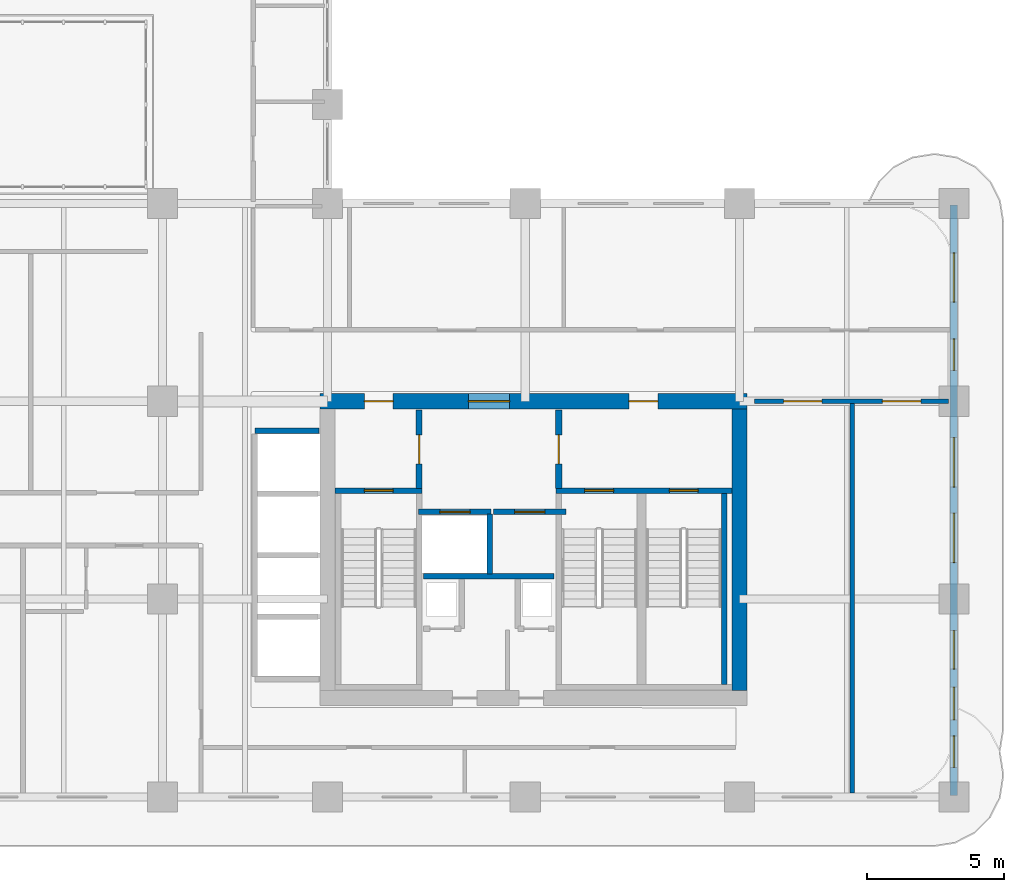
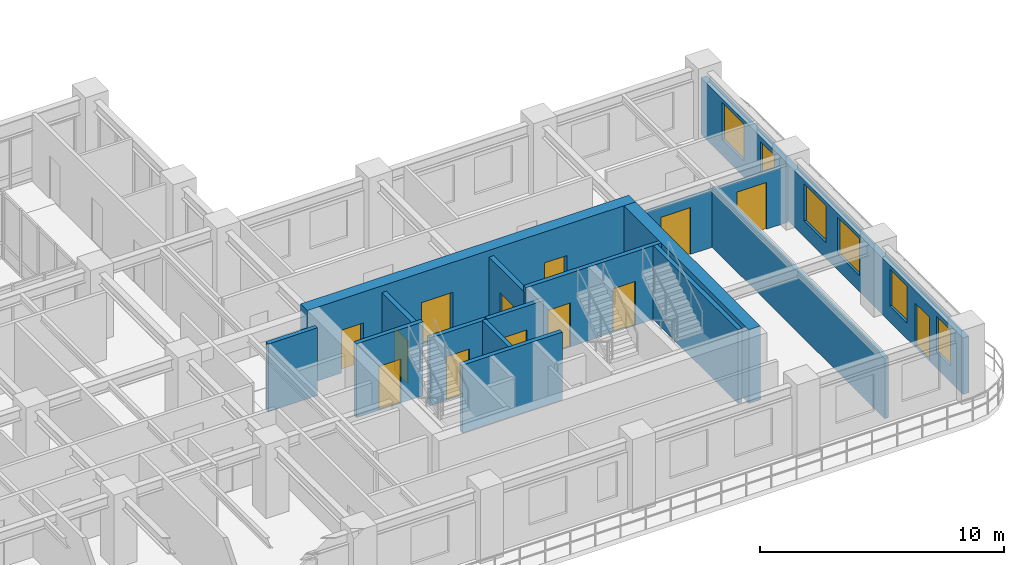
# One storey, part 11 of 19: 15 walls, 13 doors, 6 windows, 19 openings.
"""IFC4 building model written with IfcOpenShell, lengths in metres."""

from ifc_helpers import new_model, si_unit, derived_unit, direction, frame, frame_2d, origin, place, context, subcontext, project, spatial, rectangle, extrude, source, transform, mapped, material, layer, layer_set, type_object, type_shapes, element, fill, save


model = new_model("IFC4")

# Units and contexts
model_context = context("Model", 3, precision=1e-05, world=origin(), true_north=direction((0.0, 1.0)))
body_context = subcontext(model_context, "Body", "Model", "MODEL_VIEW")
ifc_project = project(units=[si_unit("LENGTHUNIT", "METRE"), si_unit("AREAUNIT", "SQUARE_METRE"), si_unit("VOLUMEUNIT", "CUBIC_METRE"), si_unit("PLANEANGLEUNIT", "RADIAN"), si_unit("MASSUNIT", "GRAM", prefix="KILO"), si_unit("THERMODYNAMICTEMPERATUREUNIT", "KELVIN"), si_unit("POWERUNIT", "WATT"), derived_unit("THERMALTRANSMITTANCEUNIT", [(si_unit("POWERUNIT", "WATT"), 1), (si_unit("AREAUNIT", "SQUARE_METRE"), -1), (si_unit("THERMODYNAMICTEMPERATUREUNIT", "KELVIN"), -1)])], contexts=[model_context])

# Site, building, storey
site_placement = place(None, origin())
site = spatial("IfcSite", under=ifc_project, at=site_placement, CompositionType="ELEMENT")
building_placement = place(site_placement, origin())
building = spatial("IfcBuilding", under=site, at=building_placement, Name="Zahravan Archway Hotel and Residences", CompositionType="ELEMENT")
storey_placement = place(building_placement, frame((0.0, 0.0, 102.699951171875)))
storey = spatial("IfcBuildingStorey", under=building, at=storey_placement, Name="L25", CompositionType="ELEMENT", Elevation=102.699951171875)

# Wall, openings, doors
ifc_material_1 = material(Name="Concrete C70/85", Category="concrete")
ifc_layer_1 = layer(ifc_material_1, 0.550048828125, Name="Concrete C70/85", Category="concrete")
ifc_layer_set_1 = layer_set([ifc_layer_1], Name="Concrete C70/85")
wall_type_1 = type_object("IfcWallType", Name="CW-CORE-550", PredefinedType="SHEAR", material=ifc_layer_set_1)
wall_1_placement = place(storey_placement, frame((34.52490234375, 14.39990234375, 0.0), z_axis=(0.0, 0.0, 1.0), x_axis=(1.0, 0.0, 0.0)))
wall_1 = element("IfcWall", 1, at=wall_1_placement, inside=storey, type_object=wall_type_1, Name="L25 Core A Shear N Wall 550 mm", PredefinedType="SHEAR", context=body_context, shape_type="SweptSolid", body=[
    extrude(rectangle(XDim=15.550048828125, YDim=0.550048828125, at=frame_2d((7.77490234375, 0.0))), origin(), (0.0, 0.0, 1.0), 3.699951171875),
])
opening_1_placement = place(wall_1_placement, frame((5.405029296875, 0.0, 0.0)))
opening_1 = element("IfcOpeningElement", 2, at=opening_1_placement, cuts=wall_1, Name="Opening FD-L1", PredefinedType="OPENING", context=body_context, shape_type="SweptSolid", body=[
    extrude(rectangle(XDim=1.5, YDim=2.199951171875, at=frame_2d((0.75, 1.10009765625))), frame((0.0, 0.28515625, 0.0), z_axis=(0.0, -1.0, 0.0), x_axis=(1.0, 0.0, 0.0)), (0.0, 0.0, 1.0), 0.570068359375),
])
opening_2_placement = place(wall_1_placement, frame((1.6201171875, 0.0, 0.0)))
opening_2 = element("IfcOpeningElement", 3, at=opening_2_placement, cuts=wall_1, Name="Opening FD-L2", PredefinedType="OPENING", context=body_context, shape_type="SweptSolid", body=[
    extrude(rectangle(XDim=1.050048828125, YDim=2.14990234375, at=frame_2d((0.52490234375, 1.074951171875))), frame((0.0, 0.28515625, 0.0), z_axis=(0.0, -1.0, 0.0), x_axis=(1.0, 0.0, 0.0)), (0.0, 0.0, 1.0), 0.570068359375),
])
opening_3_placement = place(wall_1_placement, frame((11.25, 0.0, 0.0)))
opening_3 = element("IfcOpeningElement", 4, at=opening_3_placement, cuts=wall_1, Name="Opening FD-L2", PredefinedType="OPENING", context=body_context, shape_type="SweptSolid", body=[
    extrude(rectangle(XDim=1.050048828125, YDim=2.14990234375, at=frame_2d((0.52490234375, 1.074951171875))), frame((0.0, 0.28515625, 0.0), z_axis=(0.0, -1.0, 0.0), x_axis=(1.0, 0.0, 0.0)), (0.0, 0.0, 1.0), 0.570068359375),
])
ifc_material_2 = material(Name="Fire-Rated Painted Steel", Category="steel")
door_type_1 = type_object("IfcDoorType", Name="FD-LOBBY-1100", OperationType="NOTDEFINED", PredefinedType="DOOR", material=ifc_material_2)
shared_shape_1 = source(origin(), body_context, "Body", "SweptSolid", [
    extrude(rectangle(XDim=1.050048828125, YDim=2.14990234375, at=frame_2d((0.52490234375, 1.074951171875))), frame((0.0, 0.02490234375, 0.0), z_axis=(0.0, -1.0, 0.0), x_axis=(1.0, 0.0, 0.0)), (0.0, 0.0, 1.0), 0.050048828125),
])
type_shapes(door_type_1, [shared_shape_1])
door_1_placement = place(opening_2_placement, origin())
door_1 = element("IfcDoor", 5, at=door_1_placement, inside=storey, type_object=door_type_1, Name="L25 Core A West Stair Lobby Door", OperationType="SINGLE_SWING_LEFT", OverallHeight=2.14990234375, OverallWidth=1.050048828125, PredefinedType="DOOR", context=body_context, shape_type="MappedRepresentation", body=[
    mapped(shared_shape_1, transform((0.0, 0.0, 0.0), scale=1.0)),
])
fill(opening_2, door_1)
door_2_placement = place(opening_3_placement, origin())
door_2 = element("IfcDoor", 6, at=door_2_placement, inside=storey, type_object=door_type_1, Name="L25 Core A East Stair Lobby Door", OperationType="SINGLE_SWING_RIGHT", OverallHeight=2.14990234375, OverallWidth=1.050048828125, PredefinedType="DOOR", context=body_context, shape_type="MappedRepresentation", body=[
    mapped(shared_shape_1, transform((0.0, 0.0, 0.0), scale=1.0)),
])
fill(opening_3, door_2)
door_type_2 = type_object("IfcDoorType", Name="FD-LOBBY-1500", OperationType="DOUBLE_DOOR_SINGLE_SWING", PredefinedType="DOOR", material=ifc_material_2)
shared_shape_2 = source(origin(), body_context, "Body", "SweptSolid", [
    extrude(rectangle(XDim=1.5, YDim=2.199951171875, at=frame_2d((0.75, 1.10009765625))), frame((0.0, 0.02490234375, 0.0), z_axis=(0.0, -1.0, 0.0), x_axis=(1.0, 0.0, 0.0)), (0.0, 0.0, 1.0), 0.050048828125),
])
type_shapes(door_type_2, [shared_shape_2])
door_3_placement = place(opening_1_placement, origin())
door_3 = element("IfcDoor", 7, at=door_3_placement, inside=storey, type_object=door_type_2, Name="L25 Core A FSAE Lobby Main Door", OperationType="DOUBLE_DOOR_SINGLE_SWING", OverallHeight=2.199951171875, OverallWidth=1.5, PredefinedType="DOOR", context=body_context, shape_type="MappedRepresentation", body=[
    mapped(shared_shape_2, transform((0.0, 0.0, 0.0), scale=1.0)),
])
fill(opening_1, door_3)

# Wall
wall_2_placement = place(storey_placement, frame((49.800048828125, 3.875, 0.0), z_axis=(0.0, 0.0, 1.0), x_axis=(0.0, 1.0, 0.0)))
element("IfcWall", 8, at=wall_2_placement, inside=storey, type_object=wall_type_1, Name="L25 Core A Shear E Wall 550 mm", PredefinedType="SHEAR", context=body_context, shape_type="SweptSolid", body=[
    extrude(rectangle(XDim=10.25, YDim=0.550048828125, at=frame_2d((5.125, 0.0))), origin(), (0.0, 0.0, 1.0), 3.699951171875),
])

# Wall, openings, door, windows
ifc_material_3 = material(Name="Honed Red-Ochre Sandstone & Insulated Block", Category="masonry")
ifc_layer_2 = layer(ifc_material_3, 0.280029296875, Name="Honed Red-Ochre Sandstone & Insulated Block", Category="masonry")
ifc_layer_set_2 = layer_set([ifc_layer_2], Name="Honed Red-Ochre Sandstone & Insulated Block")
wall_type_2 = type_object("IfcWallType", Name="EW-LOG-280", PredefinedType="SOLIDWALL", material=ifc_layer_set_2)
wall_3_placement = place(storey_placement, frame((57.60009765625, 0.050048828125, 0.0), z_axis=(0.0, 0.0, 1.0), x_axis=(0.0, 1.0, 0.0)))
wall_3 = element("IfcWall", 9, at=wall_3_placement, inside=storey, type_object=wall_type_2, Name="L25 Exterior Sandstone Wall WA-E", PredefinedType="SOLIDWALL", context=body_context, shape_type="SweptSolid", body=[
    extrude(rectangle(XDim=21.5, YDim=0.280029296875, at=frame_2d((10.75, 0.0))), origin(), (0.0, 0.0, 1.0), 2.8349609375),
])
opening_4_placement = place(wall_3_placement, frame((2.75, 0.0, 0.0)))
opening_4 = element("IfcOpeningElement", 10, at=opening_4_placement, cuts=wall_3, Name="Opening ED-BL1", PredefinedType="OPENING", context=body_context, shape_type="SweptSolid", body=[
    extrude(rectangle(XDim=1.199951171875, YDim=2.199951171875, at=frame_2d((0.60009765625, 1.10009765625))), frame((0.0, 0.14990234375, 0.0), z_axis=(0.0, -1.0, 0.0), x_axis=(1.0, 0.0, 0.0)), (0.0, 0.0, 1.0), 0.300048828125),
])
opening_5_placement = place(wall_3_placement, frame((1.02490234375, 0.0, 0.800048828125)))
opening_5 = element("IfcOpeningElement", 11, at=opening_5_placement, cuts=wall_3, Name="Opening W-05", PredefinedType="OPENING", context=body_context, shape_type="SweptSolid", body=[
    extrude(rectangle(XDim=1.14990234375, YDim=1.800048828125, at=frame_2d((0.574951171875, 0.89990234375))), frame((0.0, 0.14990234375, 0.0), z_axis=(0.0, -1.0, 0.0), x_axis=(1.0, 0.0, 0.0)), (0.0, 0.0, 1.0), 0.300048828125),
])
opening_6_placement = place(wall_3_placement, frame((4.60009765625, 0.0, 0.800048828125)))
opening_6 = element("IfcOpeningElement", 12, at=opening_6_placement, cuts=wall_3, Name="Opening W-03", PredefinedType="OPENING", context=body_context, shape_type="SweptSolid", body=[
    extrude(rectangle(XDim=1.39990234375, YDim=1.85009765625, at=frame_2d((0.699951171875, 0.925048828125))), frame((0.0, 0.14990234375, 0.0), z_axis=(0.0, -1.0, 0.0), x_axis=(1.0, 0.0, 0.0)), (0.0, 0.0, 1.0), 0.300048828125),
])
opening_7_placement = place(wall_3_placement, frame((8.47509765625, 0.0, 0.800048828125)))
opening_7 = element("IfcOpeningElement", 13, at=opening_7_placement, cuts=wall_3, Name="Opening W-02", PredefinedType="OPENING", context=body_context, shape_type="SweptSolid", body=[
    extrude(rectangle(XDim=1.800048828125, YDim=1.85009765625, at=frame_2d((0.89990234375, 0.925048828125))), frame((0.0, 0.14990234375, 0.0), z_axis=(0.0, -1.0, 0.0), x_axis=(1.0, 0.0, 0.0)), (0.0, 0.0, 1.0), 0.300048828125),
])
opening_8_placement = place(wall_3_placement, frame((11.22509765625, 0.0, 0.800048828125)))
opening_8 = element("IfcOpeningElement", 14, at=opening_8_placement, cuts=wall_3, Name="Opening W-02", PredefinedType="OPENING", context=body_context, shape_type="SweptSolid", body=[
    extrude(rectangle(XDim=1.800048828125, YDim=1.85009765625, at=frame_2d((0.89990234375, 0.925048828125))), frame((0.0, 0.14990234375, 0.0), z_axis=(0.0, -1.0, 0.0), x_axis=(1.0, 0.0, 0.0)), (0.0, 0.0, 1.0), 0.300048828125),
])
opening_9_placement = place(wall_3_placement, frame((15.470947265625, 0.0, 0.800048828125)))
opening_9 = element("IfcOpeningElement", 15, at=opening_9_placement, cuts=wall_3, Name="Opening W-05", PredefinedType="OPENING", context=body_context, shape_type="SweptSolid", body=[
    extrude(rectangle(XDim=1.14990234375, YDim=1.800048828125, at=frame_2d((0.574951171875, 0.89990234375))), frame((0.0, 0.14990234375, 0.0), z_axis=(0.0, -1.0, 0.0), x_axis=(1.0, 0.0, 0.0)), (0.0, 0.0, 1.0), 0.300048828125),
])
opening_10_placement = place(wall_3_placement, frame((17.9541015625, 0.0, 0.800048828125)))
opening_10 = element("IfcOpeningElement", 16, at=opening_10_placement, cuts=wall_3, Name="Opening W-02", PredefinedType="OPENING", context=body_context, shape_type="SweptSolid", body=[
    extrude(rectangle(XDim=1.800048828125, YDim=1.85009765625, at=frame_2d((0.89990234375, 0.925048828125))), frame((0.0, 0.14990234375, 0.0), z_axis=(0.0, -1.0, 0.0), x_axis=(1.0, 0.0, 0.0)), (0.0, 0.0, 1.0), 0.300048828125),
])
ifc_material_4 = material(Name="Bronze-Anodized Glazed Aluminium", Category="aluminium")
door_type_3 = type_object("IfcDoorType", Name="ED-BALC-1200", OperationType="SLIDING_TO_LEFT", PredefinedType="DOOR", material=ifc_material_4)
shared_shape_3 = source(origin(), body_context, "Body", "SweptSolid", [
    extrude(rectangle(XDim=1.199951171875, YDim=2.199951171875, at=frame_2d((0.60009765625, 1.10009765625))), frame((0.0, 0.02490234375, 0.0), z_axis=(0.0, -1.0, 0.0), x_axis=(1.0, 0.0, 0.0)), (0.0, 0.0, 1.0), 0.050048828125),
])
type_shapes(door_type_3, [shared_shape_3])
door_4_placement = place(opening_4_placement, origin())
door_4 = element("IfcDoor", 17, at=door_4_placement, inside=storey, type_object=door_type_3, Name="L25 Outdoor Access Sliding Door (SLB-BAL-L25-EA)", OperationType="SLIDING_TO_LEFT", OverallHeight=2.199951171875, OverallWidth=1.199951171875, PredefinedType="DOOR", context=body_context, shape_type="MappedRepresentation", body=[
    mapped(shared_shape_3, transform((0.0, 0.0, 0.0), scale=1.0)),
])
fill(opening_4, door_4)
ifc_material_5 = material(Name="Bronze-Anodized Thermal-Break Aluminium & Low-E Glass", Category="aluminium")
window_type_1 = type_object("IfcWindowType", Name="WIN-TWR-1400", PartitioningType="SINGLE_PANEL", PredefinedType="WINDOW", material=ifc_material_5)
shared_shape_4 = source(origin(), body_context, "Body", "SweptSolid", [
    extrude(rectangle(XDim=1.39990234375, YDim=1.85009765625, at=frame_2d((0.699951171875, 0.925048828125))), frame((0.0, 0.030029296875, 0.0), z_axis=(0.0, -1.0, 0.0), x_axis=(1.0, 0.0, 0.0)), (0.0, 0.0, 1.0), 0.06005859375),
])
type_shapes(window_type_1, [shared_shape_4])
window_1_placement = place(opening_6_placement, origin())
window_1 = element("IfcWindow", 18, at=window_1_placement, inside=storey, type_object=window_type_1, Name="L25 Loggia Window 13", OverallHeight=1.85009765625, OverallWidth=1.39990234375, PartitioningType="SINGLE_PANEL", PredefinedType="WINDOW", context=body_context, shape_type="MappedRepresentation", body=[
    mapped(shared_shape_4, transform((0.0, 0.0, 0.0), scale=1.0)),
])
fill(opening_6, window_1)
window_type_2 = type_object("IfcWindowType", Name="WIN-TWR-1800", PartitioningType="DOUBLE_PANEL_VERTICAL", PredefinedType="WINDOW", material=ifc_material_5)
shared_shape_5 = source(origin(), body_context, "Body", "SweptSolid", [
    extrude(rectangle(XDim=1.800048828125, YDim=1.85009765625, at=frame_2d((0.89990234375, 0.925048828125))), frame((0.0, 0.030029296875, 0.0), z_axis=(0.0, -1.0, 0.0), x_axis=(1.0, 0.0, 0.0)), (0.0, 0.0, 1.0), 0.06005859375),
])
type_shapes(window_type_2, [shared_shape_5])
window_2_placement = place(opening_7_placement, origin())
window_2 = element("IfcWindow", 19, at=window_2_placement, inside=storey, type_object=window_type_2, Name="L25 Loggia Window 14", OverallHeight=1.85009765625, OverallWidth=1.800048828125, PartitioningType="DOUBLE_PANEL_VERTICAL", PredefinedType="WINDOW", context=body_context, shape_type="MappedRepresentation", body=[
    mapped(shared_shape_5, transform((0.0, 0.0, 0.0), scale=1.0)),
])
fill(opening_7, window_2)
window_3_placement = place(opening_8_placement, origin())
window_3 = element("IfcWindow", 20, at=window_3_placement, inside=storey, type_object=window_type_2, Name="L25 Loggia Window 15", OverallHeight=1.85009765625, OverallWidth=1.800048828125, PartitioningType="DOUBLE_PANEL_VERTICAL", PredefinedType="WINDOW", context=body_context, shape_type="MappedRepresentation", body=[
    mapped(shared_shape_5, transform((0.0, 0.0, 0.0), scale=1.0)),
])
fill(opening_8, window_3)
window_4_placement = place(opening_10_placement, origin())
window_4 = element("IfcWindow", 21, at=window_4_placement, inside=storey, type_object=window_type_2, Name="L25 Loggia Window 17", OverallHeight=1.85009765625, OverallWidth=1.800048828125, PartitioningType="DOUBLE_PANEL_VERTICAL", PredefinedType="WINDOW", context=body_context, shape_type="MappedRepresentation", body=[
    mapped(shared_shape_5, transform((0.0, 0.0, 0.0), scale=1.0)),
])
fill(opening_10, window_4)
window_type_3 = type_object("IfcWindowType", Name="WIN-TWR-1150", PartitioningType="SINGLE_PANEL", PredefinedType="WINDOW", material=ifc_material_5)
shared_shape_6 = source(origin(), body_context, "Body", "SweptSolid", [
    extrude(rectangle(XDim=1.14990234375, YDim=1.800048828125, at=frame_2d((0.574951171875, 0.89990234375))), frame((0.0, 0.030029296875, 0.0), z_axis=(0.0, -1.0, 0.0), x_axis=(1.0, 0.0, 0.0)), (0.0, 0.0, 1.0), 0.06005859375),
])
type_shapes(window_type_3, [shared_shape_6])
window_5_placement = place(opening_5_placement, origin())
window_5 = element("IfcWindow", 22, at=window_5_placement, inside=storey, type_object=window_type_3, Name="L25 Loggia Window 12", OverallHeight=1.800048828125, OverallWidth=1.14990234375, PartitioningType="SINGLE_PANEL", PredefinedType="WINDOW", context=body_context, shape_type="MappedRepresentation", body=[
    mapped(shared_shape_6, transform((0.0, 0.0, 0.0), scale=1.0)),
])
fill(opening_5, window_5)
window_6_placement = place(opening_9_placement, origin())
window_6 = element("IfcWindow", 23, at=window_6_placement, inside=storey, type_object=window_type_3, Name="L25 Loggia Window 16", OverallHeight=1.800048828125, OverallWidth=1.14990234375, PartitioningType="SINGLE_PANEL", PredefinedType="WINDOW", context=body_context, shape_type="MappedRepresentation", body=[
    mapped(shared_shape_6, transform((0.0, 0.0, 0.0), scale=1.0)),
])
fill(opening_9, window_6)

# Wall, opening, door
ifc_material_6 = material(Name="Fire-Rated Gypsum & Concrete Block", Category="concrete")
ifc_layer_3 = layer(ifc_material_6, 0.219970703125, Name="Fire-Rated Gypsum & Concrete Block", Category="concrete")
ifc_layer_set_3 = layer_set([ifc_layer_3], Name="Fire-Rated Gypsum & Concrete Block")
wall_type_3 = type_object("IfcWallType", Name="PW-COMP-220", PredefinedType="PARTITIONING", material=ifc_layer_set_3)
wall_4_placement = place(storey_placement, frame((38.139892578125, 11.219970703125, 0.0), z_axis=(0.0, 0.0, 1.0), x_axis=(0.0, 1.0, 0.0)))
wall_4 = element("IfcWall", 24, at=wall_4_placement, inside=storey, type_object=wall_type_3, Name="L25 Partition CA-LOBW", PredefinedType="PARTITIONING", context=body_context, shape_type="SweptSolid", body=[
    extrude(rectangle(XDim=2.860107421875, YDim=0.219970703125, at=frame_2d((1.43017578125, 0.0))), origin(), (0.0, 0.0, 1.0), 3.400146484375),
])
opening_11_placement = place(wall_4_placement, frame((0.905029296875, 0.0, 0.0)))
opening_11 = element("IfcOpeningElement", 25, at=opening_11_placement, cuts=wall_4, Name="Opening FD-L2", PredefinedType="OPENING", context=body_context, shape_type="SweptSolid", body=[
    extrude(rectangle(XDim=1.050048828125, YDim=2.14990234375, at=frame_2d((0.52490234375, 1.074951171875))), frame((0.0, 0.1201171875, 0.0), z_axis=(0.0, -1.0, 0.0), x_axis=(1.0, 0.0, 0.0)), (0.0, 0.0, 1.0), 0.239990234375),
])
door_5_placement = place(opening_11_placement, origin())
door_5 = element("IfcDoor", 26, at=door_5_placement, inside=storey, type_object=door_type_1, Name="L25 Core A West Stair to FSAE Lobby Door", OperationType="SINGLE_SWING_LEFT", OverallHeight=2.14990234375, OverallWidth=1.050048828125, PredefinedType="DOOR", context=body_context, shape_type="MappedRepresentation", body=[
    mapped(shared_shape_1, transform((0.0, 0.0, 0.0), scale=1.0)),
])
fill(opening_11, door_5)

wall_5_placement = place(storey_placement, frame((43.219970703125, 11.219970703125, 0.0), z_axis=(0.0, 0.0, 1.0), x_axis=(0.0, 1.0, 0.0)))
wall_5 = element("IfcWall", 27, at=wall_5_placement, inside=storey, type_object=wall_type_3, Name="L25 Partition CA-LOBE", PredefinedType="PARTITIONING", context=body_context, shape_type="SweptSolid", body=[
    extrude(rectangle(XDim=2.860107421875, YDim=0.219970703125, at=frame_2d((1.43017578125, 0.0))), origin(), (0.0, 0.0, 1.0), 3.400146484375),
])
opening_12_placement = place(wall_5_placement, frame((0.905029296875, 0.0, 0.0)))
opening_12 = element("IfcOpeningElement", 28, at=opening_12_placement, cuts=wall_5, Name="Opening FD-L2", PredefinedType="OPENING", context=body_context, shape_type="SweptSolid", body=[
    extrude(rectangle(XDim=1.050048828125, YDim=2.14990234375, at=frame_2d((0.52490234375, 1.074951171875))), frame((0.0, 0.1201171875, 0.0), z_axis=(0.0, -1.0, 0.0), x_axis=(1.0, 0.0, 0.0)), (0.0, 0.0, 1.0), 0.239990234375),
])
door_6_placement = place(opening_12_placement, origin())
door_6 = element("IfcDoor", 29, at=door_6_placement, inside=storey, type_object=door_type_1, Name="L25 Core A East Stair to FSAE Lobby Door", OperationType="SINGLE_SWING_RIGHT", OverallHeight=2.14990234375, OverallWidth=1.050048828125, PredefinedType="DOOR", context=body_context, shape_type="MappedRepresentation", body=[
    mapped(shared_shape_1, transform((0.0, 0.0, 0.0), scale=1.0)),
])
fill(opening_12, door_6)

# Walls
ifc_layer_4 = layer(ifc_material_6, 0.199951171875, Name="Fire-Rated Gypsum & Concrete Block", Category="concrete")
ifc_layer_set_4 = layer_set([ifc_layer_4], Name="Fire-Rated Gypsum & Concrete Block")
wall_type_4 = type_object("IfcWallType", Name="PW-SHAFT-200", PredefinedType="PARTITIONING", material=ifc_layer_set_4)
wall_6_placement = place(storey_placement, frame((38.300048828125, 8.030029296875, 0.0), z_axis=(0.0, 0.0, 1.0), x_axis=(1.0, 0.0, 0.0)))
element("IfcWall", 30, at=wall_6_placement, inside=storey, type_object=wall_type_4, Name="L25 Partition CA-FLS", PredefinedType="PARTITIONING", context=body_context, shape_type="SweptSolid", body=[
    extrude(rectangle(XDim=4.739990234375, YDim=0.199951171875, at=frame_2d((2.3701171875, 0.0))), origin(), (0.0, 0.0, 1.0), 3.400146484375),
])
wall_7_placement = place(storey_placement, frame((40.699951171875, 8.1201171875, 0.0), z_axis=(0.0, 0.0, 1.0), x_axis=(0.0, 1.0, 0.0)))
element("IfcWall", 31, at=wall_7_placement, inside=storey, type_object=wall_type_4, Name="L25 Partition CA-FLM", PredefinedType="PARTITIONING", context=body_context, shape_type="SweptSolid", body=[
    extrude(rectangle(XDim=2.179931640625, YDim=0.199951171875, at=frame_2d((1.08984375, 0.0))), origin(), (0.0, 0.0, 1.0), 3.400146484375),
])
wall_8_placement = place(storey_placement, frame((32.159912109375, 13.320068359375, 0.0), z_axis=(0.0, 0.0, 1.0), x_axis=(1.0, 0.0, 0.0)))
element("IfcWall", 32, at=wall_8_placement, inside=storey, type_object=wall_type_4, Name="L25 Partition B3-N", PredefinedType="PARTITIONING", context=body_context, shape_type="SweptSolid", body=[
    extrude(rectangle(XDim=2.335205078125, YDim=0.199951171875, at=frame_2d((1.16748046875, 0.0))), origin(), (0.0, 0.0, 1.0), 3.400146484375),
])

# Wall, opening, door
wall_9_placement = place(storey_placement, frame((38.1201171875, 10.3701171875, 0.0), z_axis=(0.0, 0.0, 1.0), x_axis=(1.0, 0.0, 0.0)))
wall_9 = element("IfcWall", 33, at=wall_9_placement, inside=storey, type_object=wall_type_4, Name="L25 Lift FL-1 Front Wall", PredefinedType="PARTITIONING", context=body_context, shape_type="SweptSolid", body=[
    extrude(rectangle(XDim=2.639892578125, YDim=0.199951171875, at=frame_2d((1.31982421875, 0.0))), origin(), (0.0, 0.0, 1.0), 3.400146484375),
])
opening_13_placement = place(wall_9_placement, frame((0.77001953125, 0.0, 0.0)))
opening_13 = element("IfcOpeningElement", 34, at=opening_13_placement, cuts=wall_9, Name="Opening LD", PredefinedType="OPENING", context=body_context, shape_type="SweptSolid", body=[
    extrude(rectangle(XDim=1.10009765625, YDim=2.199951171875, at=frame_2d((0.550048828125, 1.10009765625))), frame((0.0, 0.10986328125, 0.0), z_axis=(0.0, -1.0, 0.0), x_axis=(1.0, 0.0, 0.0)), (0.0, 0.0, 1.0), 0.219970703125),
])
ifc_material_7 = material(Name="Brushed Stainless Steel", Category="steel")
door_type_4 = type_object("IfcDoorType", Name="DR-LIFT-LD", OperationType="SLIDING_TO_LEFT", PredefinedType="DOOR", material=ifc_material_7)
shared_shape_7 = source(origin(), body_context, "Body", "SweptSolid", [
    extrude(rectangle(XDim=1.10009765625, YDim=2.199951171875, at=frame_2d((0.550048828125, 1.10009765625))), frame((0.0, 0.02490234375, 0.0), z_axis=(0.0, -1.0, 0.0), x_axis=(1.0, 0.0, 0.0)), (0.0, 0.0, 1.0), 0.050048828125),
])
type_shapes(door_type_4, [shared_shape_7])
door_7_placement = place(opening_13_placement, origin())
door_7 = element("IfcDoor", 35, at=door_7_placement, inside=storey, type_object=door_type_4, Name="L25 Lift FL-1 Sliding Landing Door", OperationType="SLIDING_TO_LEFT", OverallHeight=2.199951171875, OverallWidth=1.10009765625, PredefinedType="DOOR", context=body_context, shape_type="MappedRepresentation", body=[
    mapped(shared_shape_7, transform((0.0, 0.0, 0.0), scale=1.0)),
])
fill(opening_13, door_7)

wall_10_placement = place(storey_placement, frame((40.840087890625, 10.3701171875, 0.0), z_axis=(0.0, 0.0, 1.0), x_axis=(1.0, 0.0, 0.0)))
wall_10 = element("IfcWall", 36, at=wall_10_placement, inside=storey, type_object=wall_type_4, Name="L25 Lift FL-2 Front Wall", PredefinedType="PARTITIONING", context=body_context, shape_type="SweptSolid", body=[
    extrude(rectangle(XDim=2.639892578125, YDim=0.199951171875, at=frame_2d((1.31982421875, 0.0))), origin(), (0.0, 0.0, 1.0), 3.400146484375),
])
opening_14_placement = place(wall_10_placement, frame((0.77001953125, 0.0, 0.0)))
opening_14 = element("IfcOpeningElement", 37, at=opening_14_placement, cuts=wall_10, Name="Opening LD", PredefinedType="OPENING", context=body_context, shape_type="SweptSolid", body=[
    extrude(rectangle(XDim=1.10009765625, YDim=2.199951171875, at=frame_2d((0.550048828125, 1.10009765625))), frame((0.0, 0.10986328125, 0.0), z_axis=(0.0, -1.0, 0.0), x_axis=(1.0, 0.0, 0.0)), (0.0, 0.0, 1.0), 0.219970703125),
])
door_8_placement = place(opening_14_placement, origin())
door_8 = element("IfcDoor", 38, at=door_8_placement, inside=storey, type_object=door_type_4, Name="L25 Lift FL-2 Sliding Landing Door", OperationType="SLIDING_TO_LEFT", OverallHeight=2.199951171875, OverallWidth=1.10009765625, PredefinedType="DOOR", context=body_context, shape_type="MappedRepresentation", body=[
    mapped(shared_shape_7, transform((0.0, 0.0, 0.0), scale=1.0)),
])
fill(opening_14, door_8)

# Wall, openings, doors
ifc_material_8 = material(Name="Acoustic Stud Partition")
ifc_layer_5 = layer(ifc_material_8, 0.169921875, Name="Acoustic Stud Partition")
ifc_layer_set_5 = layer_set([ifc_layer_5], Name="Acoustic Stud Partition")
wall_type_5 = type_object("IfcWallType", Name="PW-UNIT-170", PredefinedType="PARTITIONING", material=ifc_layer_set_5)
wall_11_placement = place(storey_placement, frame((50.340087890625, 14.39990234375, 0.0), z_axis=(0.0, 0.0, 1.0), x_axis=(1.0, 0.0, 0.0)))
wall_11 = element("IfcWall", 39, at=wall_11_placement, inside=storey, type_object=wall_type_5, Name="L25 Partition EA-PS", PredefinedType="PARTITIONING", context=body_context, shape_type="SweptSolid", body=[
    extrude(rectangle(XDim=7.06982421875, YDim=0.169921875, at=frame_2d((3.534912109375, 0.0))), origin(), (0.0, 0.0, 1.0), 2.8349609375),
])
opening_15_placement = place(wall_11_placement, frame((1.06005859375, 0.0, 0.0)))
opening_15 = element("IfcOpeningElement", 40, at=opening_15_placement, cuts=wall_11, Name="Opening D-P1", PredefinedType="OPENING", context=body_context, shape_type="SweptSolid", body=[
    extrude(rectangle(XDim=1.39990234375, YDim=2.35009765625, at=frame_2d((0.699951171875, 1.175048828125))), frame((0.0, 0.094970703125, 0.0), z_axis=(0.0, -1.0, 0.0), x_axis=(1.0, 0.0, 0.0)), (0.0, 0.0, 1.0), 0.18994140625),
])
opening_16_placement = place(wall_11_placement, frame((4.659912109375, 0.0, 0.0)))
opening_16 = element("IfcOpeningElement", 41, at=opening_16_placement, cuts=wall_11, Name="Opening D-P1", PredefinedType="OPENING", context=body_context, shape_type="SweptSolid", body=[
    extrude(rectangle(XDim=1.39990234375, YDim=2.35009765625, at=frame_2d((0.699951171875, 1.175048828125))), frame((0.0, 0.094970703125, 0.0), z_axis=(0.0, -1.0, 0.0), x_axis=(1.0, 0.0, 0.0)), (0.0, 0.0, 1.0), 0.18994140625),
])
door_type_5 = type_object("IfcDoorType", Name="ID-PUBLIC-1400", OperationType="DOUBLE_DOOR_SINGLE_SWING", PredefinedType="DOOR", material=ifc_material_4)
shared_shape_8 = source(origin(), body_context, "Body", "SweptSolid", [
    extrude(rectangle(XDim=1.39990234375, YDim=2.35009765625, at=frame_2d((0.699951171875, 1.175048828125))), frame((0.0, 0.02490234375, 0.0), z_axis=(0.0, -1.0, 0.0), x_axis=(1.0, 0.0, 0.0)), (0.0, 0.0, 1.0), 0.050048828125),
])
type_shapes(door_type_5, [shared_shape_8])
door_9_placement = place(opening_15_placement, origin())
door_9 = element("IfcDoor", 42, at=door_9_placement, inside=storey, type_object=door_type_5, Name="L25 East Conference Room Door", OperationType="DOUBLE_DOOR_SINGLE_SWING", OverallHeight=2.35009765625, OverallWidth=1.39990234375, PredefinedType="DOOR", context=body_context, shape_type="MappedRepresentation", body=[
    mapped(shared_shape_8, transform((0.0, 0.0, 0.0), scale=1.0)),
])
fill(opening_15, door_9)
door_10_placement = place(opening_16_placement, origin())
door_10 = element("IfcDoor", 43, at=door_10_placement, inside=storey, type_object=door_type_5, Name="L25 East Salon Door", OperationType="DOUBLE_DOOR_SINGLE_SWING", OverallHeight=2.35009765625, OverallWidth=1.39990234375, PredefinedType="DOOR", context=body_context, shape_type="MappedRepresentation", body=[
    mapped(shared_shape_8, transform((0.0, 0.0, 0.0), scale=1.0)),
])
fill(opening_16, door_10)

# Wall
wall_12_placement = place(storey_placement, frame((53.89990234375, 0.14794921875, 0.0), z_axis=(0.0, 0.0, 1.0), x_axis=(0.0, 1.0, 0.0)))
element("IfcWall", 44, at=wall_12_placement, inside=storey, type_object=wall_type_5, Name="L25 Partition EA-EV", PredefinedType="PARTITIONING", context=body_context, shape_type="SweptSolid", body=[
    extrude(rectangle(XDim=14.162109375, YDim=0.169921875, at=frame_2d((7.0810546875, 0.0))), origin(), (0.0, 0.0, 1.0), 3.025146484375),
])

# Wall, opening, door
ifc_material_9 = material(Name="Concrete C50/60", Category="concrete")
ifc_layer_6 = layer(ifc_material_9, 0.199951171875, Name="Concrete C50/60", Category="concrete")
ifc_layer_set_6 = layer_set([ifc_layer_6], Name="Concrete C50/60")
wall_type_6 = type_object("IfcWallType", Name="SW-STAIR-200", PredefinedType="SHEAR", material=ifc_layer_set_6)
wall_13_placement = place(storey_placement, frame((35.074951171875, 11.14990234375, 0.0), z_axis=(0.0, 0.0, 1.0), x_axis=(1.0, 0.0, 0.0)))
wall_13 = element("IfcWall", 45, at=wall_13_placement, inside=storey, type_object=wall_type_6, Name="L25 Stairwell RC Wall CA-SA1N", PredefinedType="SHEAR", context=body_context, shape_type="SweptSolid", body=[
    extrude(rectangle(XDim=3.1650390625, YDim=0.199951171875, at=frame_2d((1.58251953125, 0.0))), origin(), (0.0, 0.0, 1.0), 3.699951171875),
])
opening_17_placement = place(wall_13_placement, frame((1.070068359375, 0.0, 0.0)))
opening_17 = element("IfcOpeningElement", 46, at=opening_17_placement, cuts=wall_13, Name="Opening FD-S1", PredefinedType="OPENING", context=body_context, shape_type="SweptSolid", body=[
    extrude(rectangle(XDim=1.050048828125, YDim=2.199951171875, at=frame_2d((0.52490234375, 1.10009765625))), frame((0.0, 0.10986328125, 0.0), z_axis=(0.0, -1.0, 0.0), x_axis=(1.0, 0.0, 0.0)), (0.0, 0.0, 1.0), 0.219970703125),
])
door_type_6 = type_object("IfcDoorType", Name="FD-STAIR-1100", OperationType="NOTDEFINED", PredefinedType="DOOR", material=ifc_material_2)
shared_shape_9 = source(origin(), body_context, "Body", "SweptSolid", [
    extrude(rectangle(XDim=1.050048828125, YDim=2.199951171875, at=frame_2d((0.52490234375, 1.10009765625))), frame((0.0, 0.02490234375, 0.0), z_axis=(0.0, -1.0, 0.0), x_axis=(1.0, 0.0, 0.0)), (0.0, 0.0, 1.0), 0.050048828125),
])
type_shapes(door_type_6, [shared_shape_9])
door_11_placement = place(opening_17_placement, origin())
door_11 = element("IfcDoor", 47, at=door_11_placement, inside=storey, type_object=door_type_6, Name="L25 Stair ST-A1 Door", OperationType="SINGLE_SWING_RIGHT", OverallHeight=2.199951171875, OverallWidth=1.050048828125, PredefinedType="DOOR", context=body_context, shape_type="MappedRepresentation", body=[
    mapped(shared_shape_9, transform((0.0, 0.0, 0.0), scale=1.0)),
])
fill(opening_17, door_11)

# Wall
wall_14_placement = place(storey_placement, frame((49.239990234375, 4.10009765625, 0.0), z_axis=(0.0, 0.0, 1.0), x_axis=(0.0, 1.0, 0.0)))
element("IfcWall", 48, at=wall_14_placement, inside=storey, type_object=wall_type_6, Name="L25 Stairwell RC Wall CA-SA3E", PredefinedType="SHEAR", context=body_context, shape_type="SweptSolid", body=[
    extrude(rectangle(XDim=6.949951171875, YDim=0.199951171875, at=frame_2d((3.47509765625, 0.0))), origin(), (0.0, 0.0, 1.0), 3.699951171875),
])

# Wall, openings, doors
wall_15_placement = place(storey_placement, frame((43.1201171875, 11.14990234375, 0.0), z_axis=(0.0, 0.0, 1.0), x_axis=(1.0, 0.0, 0.0)))
wall_15 = element("IfcWall", 49, at=wall_15_placement, inside=storey, type_object=wall_type_6, Name="L25 Stairwell RC Wall CA-SA23N", PredefinedType="SHEAR", context=body_context, shape_type="SweptSolid", body=[
    extrude(rectangle(XDim=6.40478515625, YDim=0.199951171875, at=frame_2d((3.202392578125, 0.0))), origin(), (0.0, 0.0, 1.0), 3.699951171875),
])
opening_18_placement = place(wall_15_placement, frame((1.044921875, 0.0, 0.0)))
opening_18 = element("IfcOpeningElement", 50, at=opening_18_placement, cuts=wall_15, Name="Opening FD-S1", PredefinedType="OPENING", context=body_context, shape_type="SweptSolid", body=[
    extrude(rectangle(XDim=1.050048828125, YDim=2.199951171875, at=frame_2d((0.52490234375, 1.10009765625))), frame((0.0, 0.10986328125, 0.0), z_axis=(0.0, -1.0, 0.0), x_axis=(1.0, 0.0, 0.0)), (0.0, 0.0, 1.0), 0.219970703125),
])
opening_19_placement = place(wall_15_placement, frame((4.125, 0.0, 0.0)))
opening_19 = element("IfcOpeningElement", 51, at=opening_19_placement, cuts=wall_15, Name="Opening FD-S1", PredefinedType="OPENING", context=body_context, shape_type="SweptSolid", body=[
    extrude(rectangle(XDim=1.050048828125, YDim=2.199951171875, at=frame_2d((0.52490234375, 1.10009765625))), frame((0.0, 0.10986328125, 0.0), z_axis=(0.0, -1.0, 0.0), x_axis=(1.0, 0.0, 0.0)), (0.0, 0.0, 1.0), 0.219970703125),
])
door_12_placement = place(opening_18_placement, origin())
door_12 = element("IfcDoor", 52, at=door_12_placement, inside=storey, type_object=door_type_6, Name="L25 Stair ST-A2 Door", OperationType="SINGLE_SWING_LEFT", OverallHeight=2.199951171875, OverallWidth=1.050048828125, PredefinedType="DOOR", context=body_context, shape_type="MappedRepresentation", body=[
    mapped(shared_shape_9, transform((0.0, 0.0, 0.0), scale=1.0)),
])
fill(opening_18, door_12)
door_13_placement = place(opening_19_placement, origin())
door_13 = element("IfcDoor", 53, at=door_13_placement, inside=storey, type_object=door_type_6, Name="L25 Stair ST-A3 Door", OperationType="SINGLE_SWING_RIGHT", OverallHeight=2.199951171875, OverallWidth=1.050048828125, PredefinedType="DOOR", context=body_context, shape_type="MappedRepresentation", body=[
    mapped(shared_shape_9, transform((0.0, 0.0, 0.0), scale=1.0)),
])
fill(opening_19, door_13)

save(model, "model.ifc")
